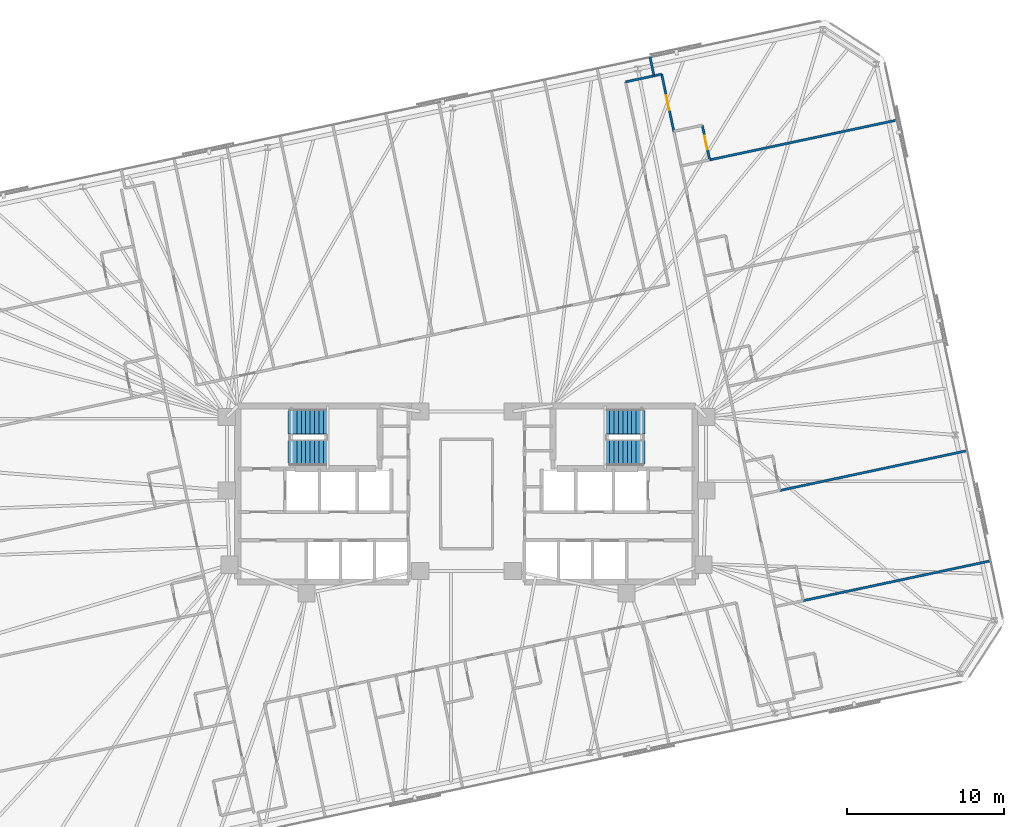
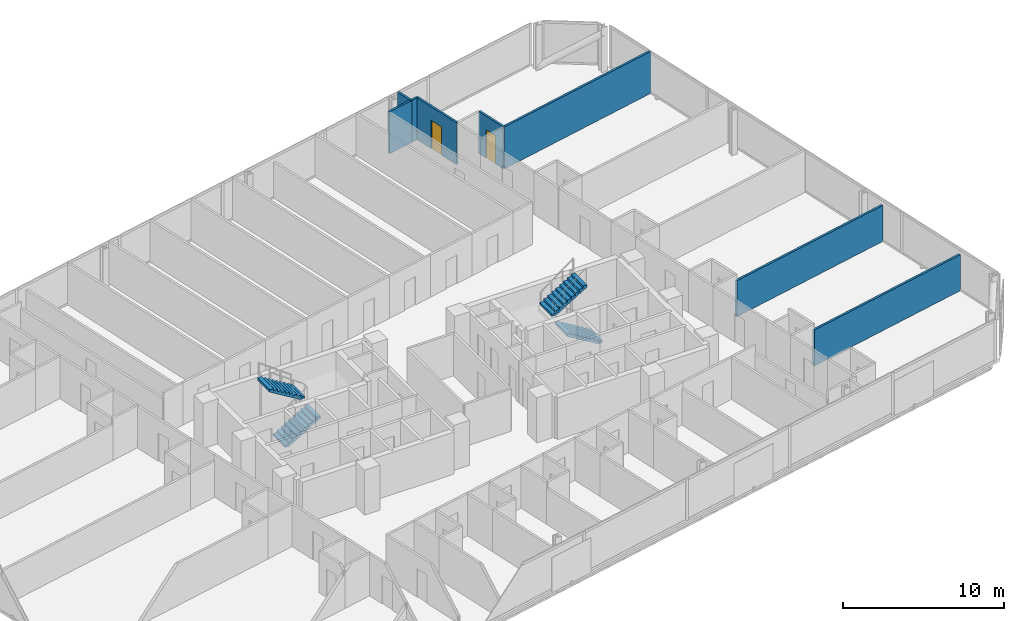
# One storey, part 19 of 21: 8 walls, 4 stair flights, 2 doors, 2 openings, 2 elements without a shape of their own.
"""IFC4 building model written with IfcOpenShell, lengths in metres."""

from ifc_helpers import new_model, si_unit, direction, frame, frame_2d, origin, place, context, subcontext, project, spatial, polyline, rectangle, outline, extrude, material, layer, layer_set, type_object, element, fill, aggregate, save


model = new_model("IFC4")

# Units and contexts
model_context = context("Model", 3, precision=1e-05, world=origin(), true_north=direction((0.0, 1.0)))
body_context = subcontext(model_context, "Body", "Model", "MODEL_VIEW")
ifc_project = project(units=[si_unit("LENGTHUNIT", "METRE"), si_unit("AREAUNIT", "SQUARE_METRE"), si_unit("VOLUMEUNIT", "CUBIC_METRE"), si_unit("PLANEANGLEUNIT", "RADIAN"), si_unit("MASSUNIT", "GRAM", prefix="KILO")], contexts=[model_context])

# Site, building, storey
site_placement = place(None, origin())
site = spatial("IfcSite", under=ifc_project, at=site_placement, CompositionType="ELEMENT")
building_placement = place(site_placement, origin())
building = spatial("IfcBuilding", under=site, at=building_placement, Name="Menara Jurai Vektor", CompositionType="ELEMENT")
storey_placement = place(building_placement, frame((0.0, 0.0, 188.800048828125)))
storey = spatial("IfcBuildingStorey", under=building, at=storey_placement, Name="L49", CompositionType="ELEMENT", Elevation=188.800048828125)

# Walls
ifc_material_1 = material(Name="Gypsum Fireboard Partition", Category="gypsum")
ifc_layer_1 = layer(ifc_material_1, 0.14990234375)
ifc_layer_set_1 = layer_set([ifc_layer_1], Name="Gypsum Fireboard Partition")
wall_type_1 = type_object("IfcWallType", Name="INT-WALL-CORR-150", PredefinedType="PARTITIONING", material=ifc_layer_set_1)
wall_1_placement = place(storey_placement, frame((10.118408203125, 26.21435546875, 0.0), z_axis=(0.0, 0.0, 1.0), x_axis=(0.978133353907, 0.20797870558, 0.0)))
element("IfcWall", 1, at=wall_1_placement, inside=storey, type_object=wall_type_1, Name="Interior Wall IW-150 L49", PredefinedType="PARTITIONING", context=body_context, shape_type="SweptSolid", body=[
    extrude(rectangle(XDim=1.85009765625, YDim=0.14990234375, at=frame_2d((0.925048828125, 0.0))), origin(), (0.0, 0.0, 1.0), 3.175048828125),
])
wall_2_placement = place(storey_placement, frame((11.927978515625, 26.59912109375, 0.0), z_axis=(0.0, 0.0, 1.0), x_axis=(0.97822210712, 0.207560856478, 0.0)))
element("IfcWall", 2, at=wall_2_placement, inside=storey, type_object=wall_type_1, Name="Interior Wall IW-150 L49", PredefinedType="PARTITIONING", context=body_context, shape_type="SweptSolid", body=[
    extrude(rectangle(XDim=0.5, YDim=0.14990234375, at=frame_2d((0.25, 0.0))), origin(), (0.0, 0.0, 1.0), 3.175048828125),
])

# Wall, opening, door
wall_3_placement = place(storey_placement, frame((13.18994140625, 23.067138671875, 0.0), z_axis=(0.0, 0.0, 1.0), x_axis=(-0.207949879289, 0.978139482745, 0.0)))
wall_3 = element("IfcWall", 3, at=wall_3_placement, inside=storey, type_object=wall_type_1, Name="Interior Wall IW-150 L49", PredefinedType="PARTITIONING", context=body_context, shape_type="SweptSolid", body=[
    extrude(rectangle(XDim=3.717041015625, YDim=0.14990234375, at=frame_2d((1.8583984375, 0.0))), origin(), (0.0, 0.0, 1.0), 3.175048828125),
])
opening_1_placement = place(wall_3_placement, frame((1.383544921875, 0.0, 0.0)))
opening_1 = element("IfcOpeningElement", 4, at=opening_1_placement, cuts=wall_3, Name="Opening D49-54", PredefinedType="OPENING", context=body_context, shape_type="SweptSolid", body=[
    extrude(rectangle(XDim=0.949951171875, YDim=2.14990234375, at=frame_2d((0.47509765625, 1.074951171875))), frame((0.0, 0.0849609375, 0.0), z_axis=(0.0, -1.0, 0.0), x_axis=(1.0, 0.0, 0.0)), (0.0, 0.0, 1.0), 0.169921875),
])
ifc_material_2 = material(Name="Solid Core Timber Fire Door", Category="wood")
door_type_1 = type_object("IfcDoorType", Name="DR-ENTRY-950", OperationType="NOTDEFINED", PredefinedType="DOOR", material=ifc_material_2)
door_1_placement = place(opening_1_placement, origin())
door_1 = element("IfcDoor", 5, at=door_1_placement, inside=storey, type_object=door_type_1, Name="Interior Door D49-54", OperationType="SINGLE_SWING_LEFT", OverallHeight=2.14990234375, OverallWidth=0.949951171875, PredefinedType="DOOR", context=body_context, shape_type="SweptSolid", body=[
    extrude(rectangle(XDim=0.949951171875, YDim=2.14990234375, at=frame_2d((0.47509765625, 1.074951171875))), frame((0.0, 0.02490234375, 0.0), z_axis=(0.0, -1.0, 0.0), x_axis=(1.0, 0.0, 0.0)), (0.0, 0.0, 1.0), 0.050048828125),
])
fill(opening_1, door_1)

# Walls
wall_4_placement = place(storey_placement, frame((11.927978515625, 26.59912109375, 0.0), z_axis=(0.0, 0.0, 1.0), x_axis=(-0.20795853359, 0.978137642823, 0.0)))
element("IfcWall", 6, at=wall_4_placement, inside=storey, type_object=wall_type_1, Name="Interior Wall IW-150 L49", PredefinedType="PARTITIONING", context=body_context, shape_type="SweptSolid", body=[
    extrude(rectangle(XDim=1.19970703125, YDim=0.14990234375, at=frame_2d((0.599853515625, 0.0))), origin(), (0.0, 0.0, 1.0), 3.175048828125),
])
wall_5_placement = place(storey_placement, frame((15.46728515625, 21.2509765625, 0.0), z_axis=(0.0, 0.0, 1.0), x_axis=(0.97814556055, 0.207921288896, 0.0)))
element("IfcWall", 7, at=wall_5_placement, inside=storey, type_object=wall_type_1, Name="Interior Wall IW-150 L49", PredefinedType="PARTITIONING", context=body_context, shape_type="SweptSolid", body=[
    extrude(rectangle(XDim=12.18701171875, YDim=0.14990234375, at=frame_2d((6.093505859375, 0.0))), origin(), (0.0, 0.0, 1.0), 3.175048828125),
])

# Wall, opening, door
wall_6_placement = place(storey_placement, frame((15.46728515625, 21.2509765625, 0.0), z_axis=(0.0, 0.0, 1.0), x_axis=(-0.207891197838, 0.978151956427, 0.0)))
wall_6 = element("IfcWall", 8, at=wall_6_placement, inside=storey, type_object=wall_type_1, Name="Interior Wall IW-150 L49", PredefinedType="PARTITIONING", context=body_context, shape_type="SweptSolid", body=[
    extrude(rectangle(XDim=2.25, YDim=0.14990234375, at=frame_2d((1.125, 0.0))), origin(), (0.0, 0.0, 1.0), 3.175048828125),
])
opening_2_placement = place(wall_6_placement, frame((0.68505859375, 0.0, 0.0)))
opening_2 = element("IfcOpeningElement", 9, at=opening_2_placement, cuts=wall_6, Name="Opening D49-55", PredefinedType="OPENING", context=body_context, shape_type="SweptSolid", body=[
    extrude(rectangle(XDim=0.8798828125, YDim=2.14990234375, at=frame_2d((0.43994140625, 1.074951171875))), frame((0.0, 0.0849609375, 0.0), z_axis=(0.0, -1.0, 0.0), x_axis=(1.0, 0.0, 0.0)), (0.0, 0.0, 1.0), 0.169921875),
])
ifc_material_3 = material(Name="Moisture-Resistant Timber Door", Category="wood")
door_type_2 = type_object("IfcDoorType", Name="DR-BATH-880", OperationType="NOTDEFINED", PredefinedType="DOOR", material=ifc_material_3)
door_2_placement = place(opening_2_placement, origin())
door_2 = element("IfcDoor", 10, at=door_2_placement, inside=storey, type_object=door_type_2, Name="Interior Door D49-55", OperationType="SINGLE_SWING_RIGHT", OverallHeight=2.14990234375, OverallWidth=0.8798828125, PredefinedType="DOOR", context=body_context, shape_type="SweptSolid", body=[
    extrude(rectangle(XDim=0.8798828125, YDim=2.14990234375, at=frame_2d((0.43994140625, 1.074951171875))), frame((0.0, 0.02490234375, 0.0), z_axis=(0.0, -1.0, 0.0), x_axis=(1.0, 0.0, 0.0)), (0.0, 0.0, 1.0), 0.050048828125),
])
fill(opening_2, door_2)

# Walls
ifc_layer_2 = layer(ifc_material_1, 0.14990234375)
ifc_layer_set_2 = layer_set([ifc_layer_2], Name="Gypsum Fireboard Partition")
wall_type_2 = type_object("IfcWallType", Name="INT-WALL-CORR-150-H1", PredefinedType="PARTITIONING", material=ifc_layer_set_2)
wall_7_placement = place(storey_placement, frame((21.42724609375, -6.78857421875, 0.0), z_axis=(0.0, 0.0, 1.0), x_axis=(0.97814556055, 0.207921288896, 0.0)))
element("IfcWall", 11, at=wall_7_placement, inside=storey, type_object=wall_type_2, Name="Interior Wall IW-150 L49", PredefinedType="PARTITIONING", context=body_context, shape_type="SweptSolid", body=[
    extrude(rectangle(XDim=12.18701171875, YDim=0.14990234375, at=frame_2d((6.093505859375, 0.0))), origin(), (0.0, 0.0, 1.0), 2.724853515625),
])
wall_8_placement = place(storey_placement, frame((19.9375, 0.220703125, 0.0), z_axis=(0.0, 0.0, 1.0), x_axis=(0.978144694478, 0.207925363208, 0.0)))
element("IfcWall", 12, at=wall_8_placement, inside=storey, type_object=wall_type_2, Name="Interior Wall IW-150 L49", PredefinedType="PARTITIONING", context=body_context, shape_type="SweptSolid", body=[
    extrude(rectangle(XDim=12.186767578125, YDim=0.14990234375, at=frame_2d((6.09326171875, 0.0))), origin(), (0.0, 0.0, 1.0), 2.724853515625),
])

# Stair, stair flights
ifc_material_4 = material(Name="Concrete C40/50", Category="concrete")
stair_type = type_object("IfcStairType", Name="STAIR-DOGLEG-1500", PredefinedType="HALF_TURN_STAIR", material=ifc_material_4)
stair_1_placement = place(storey_placement, origin())
stair_1 = element("IfcStair", 13, at=stair_1_placement, inside=storey, type_object=stair_type, Name="Protected Exit Stair ST1 L49", PredefinedType="HALF_TURN_STAIR")
stair_flight_type = type_object("IfcStairFlightType", Name="STAIR-FLIGHT-1500", PredefinedType="STRAIGHT", material=ifc_material_4)
stair_flight_1_placement = place(storey_placement, frame((-11.35009765625, 2.64990234375, 0.0), z_axis=(0.0, 0.0, 1.0), x_axis=(1.0, 0.0, 0.0)))
stair_flight_1 = element("IfcStairFlight", 14, at=stair_flight_1_placement, type_object=stair_flight_type, Name="ST1 flight 1", NumberOfRisers=10, NumberOfTreads=9, PredefinedType="STRAIGHT", RiserHeight=0.17, TreadLength=0.28, context=body_context, shape_type="SweptSolid", body=[
    extrude(outline(polyline([(0.0, 0.0), (0.0, 0.169921875), (0.280029296875, 0.169921875), (0.280029296875, 0.340087890625), (0.56005859375, 0.340087890625), (0.56005859375, 0.510009765625), (0.840087890625, 0.510009765625), (0.840087890625, 0.679931640625), (1.1201171875, 0.679931640625), (1.1201171875, 0.85009765625), (1.39990234375, 0.85009765625), (1.39990234375, 1.02001953125), (1.679931640625, 1.02001953125), (1.679931640625, 1.18994140625), (1.9599609375, 1.18994140625), (1.9599609375, 1.360107421875), (2.239990234375, 1.360107421875), (2.239990234375, 1.530029296875), (2.52001953125, 1.530029296875), (2.52001953125, 1.699951171875), (2.52001953125, 1.343017578125), (0.30810546875, 0.0), (0.0, 0.0)])), frame((0.0, 0.75, 0.0), z_axis=(0.0, -1.0, 0.0), x_axis=(1.0, 0.0, 0.0)), (0.0, 0.0, 1.0), 1.5),
])
stair_flight_2_placement = place(storey_placement, frame((-8.830078125, 4.550048828125, 1.699951171875), z_axis=(0.0, 0.0, 1.0), x_axis=(-1.0, 0.0, 0.0)))
stair_flight_2 = element("IfcStairFlight", 15, at=stair_flight_2_placement, type_object=stair_flight_type, Name="ST1 flight 2", NumberOfRisers=10, NumberOfTreads=9, PredefinedType="STRAIGHT", RiserHeight=0.17, TreadLength=0.28, context=body_context, shape_type="SweptSolid", body=[
    extrude(outline(polyline([(0.0, 0.0), (0.0, 0.169921875), (0.280029296875, 0.169921875), (0.280029296875, 0.340087890625), (0.56005859375, 0.340087890625), (0.56005859375, 0.510009765625), (0.840087890625, 0.510009765625), (0.840087890625, 0.679931640625), (1.1201171875, 0.679931640625), (1.1201171875, 0.85009765625), (1.39990234375, 0.85009765625), (1.39990234375, 1.02001953125), (1.679931640625, 1.02001953125), (1.679931640625, 1.18994140625), (1.9599609375, 1.18994140625), (1.9599609375, 1.360107421875), (2.239990234375, 1.360107421875), (2.239990234375, 1.530029296875), (2.52001953125, 1.530029296875), (2.52001953125, 1.699951171875), (2.52001953125, 1.343017578125), (0.30810546875, 0.0), (0.0, 0.0)])), frame((0.0, 0.75, 0.0), z_axis=(0.0, -1.0, 0.0), x_axis=(1.0, 0.0, 0.0)), (0.0, 0.0, 1.0), 1.5),
])
aggregate(stair_1, [stair_flight_1, stair_flight_2])

stair_2_placement = place(storey_placement, origin())
stair_2 = element("IfcStair", 16, at=stair_2_placement, inside=storey, type_object=stair_type, Name="Protected Exit Stair ST2 L49", PredefinedType="HALF_TURN_STAIR")
stair_flight_3_placement = place(storey_placement, frame((11.35009765625, 2.64990234375, 0.0), z_axis=(0.0, 0.0, 1.0), x_axis=(-1.0, 0.0, 0.0)))
stair_flight_3 = element("IfcStairFlight", 17, at=stair_flight_3_placement, type_object=stair_flight_type, Name="ST2 flight 1", NumberOfRisers=10, NumberOfTreads=9, PredefinedType="STRAIGHT", RiserHeight=0.17, TreadLength=0.28, context=body_context, shape_type="SweptSolid", body=[
    extrude(outline(polyline([(0.0, 0.0), (0.0, 0.169921875), (0.280029296875, 0.169921875), (0.280029296875, 0.340087890625), (0.56005859375, 0.340087890625), (0.56005859375, 0.510009765625), (0.840087890625, 0.510009765625), (0.840087890625, 0.679931640625), (1.1201171875, 0.679931640625), (1.1201171875, 0.85009765625), (1.39990234375, 0.85009765625), (1.39990234375, 1.02001953125), (1.679931640625, 1.02001953125), (1.679931640625, 1.18994140625), (1.9599609375, 1.18994140625), (1.9599609375, 1.360107421875), (2.239990234375, 1.360107421875), (2.239990234375, 1.530029296875), (2.52001953125, 1.530029296875), (2.52001953125, 1.699951171875), (2.52001953125, 1.343017578125), (0.30810546875, 0.0), (0.0, 0.0)])), frame((0.0, 0.75, 0.0), z_axis=(0.0, -1.0, 0.0), x_axis=(1.0, 0.0, 0.0)), (0.0, 0.0, 1.0), 1.5),
])
stair_flight_4_placement = place(storey_placement, frame((8.830078125, 4.550048828125, 1.699951171875), z_axis=(0.0, 0.0, 1.0), x_axis=(1.0, 0.0, 0.0)))
stair_flight_4 = element("IfcStairFlight", 18, at=stair_flight_4_placement, type_object=stair_flight_type, Name="ST2 flight 2", NumberOfRisers=10, NumberOfTreads=9, PredefinedType="STRAIGHT", RiserHeight=0.17, TreadLength=0.28, context=body_context, shape_type="SweptSolid", body=[
    extrude(outline(polyline([(0.0, 0.0), (0.0, 0.169921875), (0.280029296875, 0.169921875), (0.280029296875, 0.340087890625), (0.56005859375, 0.340087890625), (0.56005859375, 0.510009765625), (0.840087890625, 0.510009765625), (0.840087890625, 0.679931640625), (1.1201171875, 0.679931640625), (1.1201171875, 0.85009765625), (1.39990234375, 0.85009765625), (1.39990234375, 1.02001953125), (1.679931640625, 1.02001953125), (1.679931640625, 1.18994140625), (1.9599609375, 1.18994140625), (1.9599609375, 1.360107421875), (2.239990234375, 1.360107421875), (2.239990234375, 1.530029296875), (2.52001953125, 1.530029296875), (2.52001953125, 1.699951171875), (2.52001953125, 1.343017578125), (0.30810546875, 0.0), (0.0, 0.0)])), frame((0.0, 0.75, 0.0), z_axis=(0.0, -1.0, 0.0), x_axis=(1.0, 0.0, 0.0)), (0.0, 0.0, 1.0), 1.5),
])
aggregate(stair_2, [stair_flight_3, stair_flight_4])

save(model, "model.ifc")
